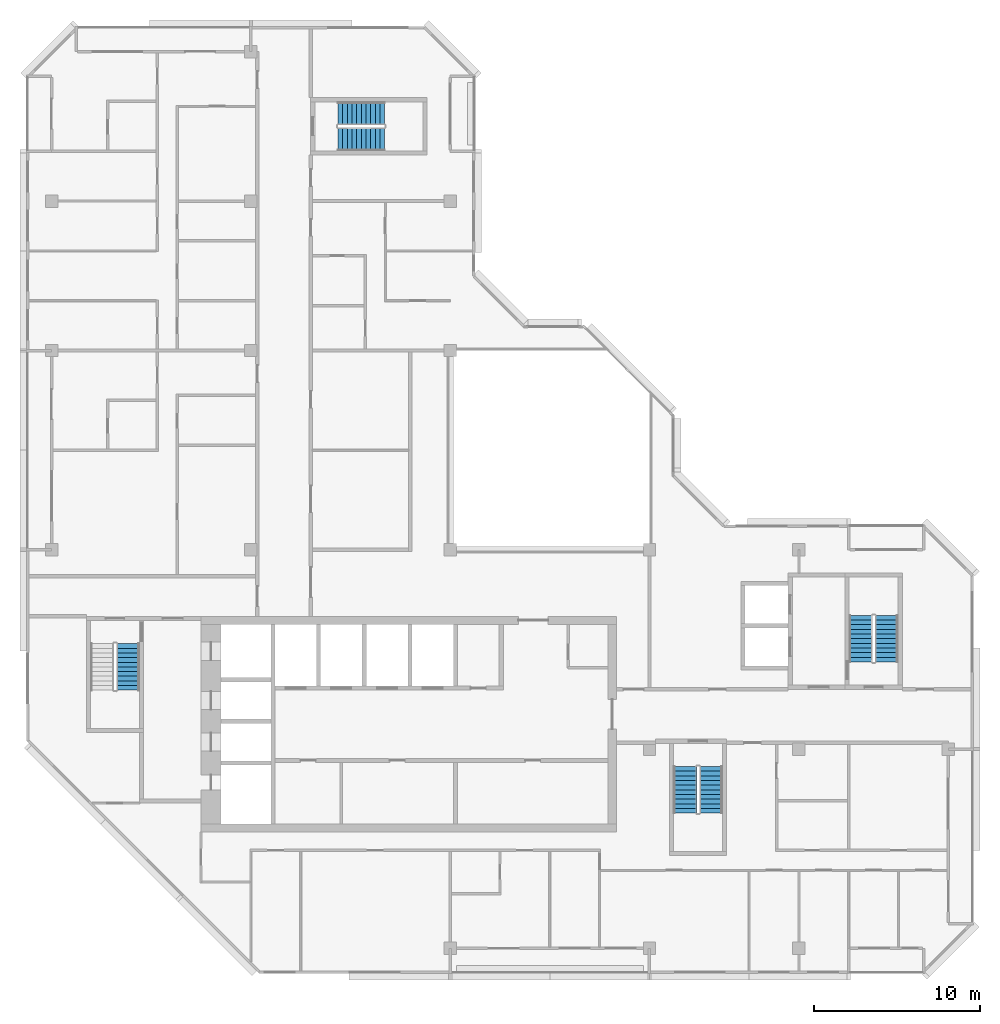
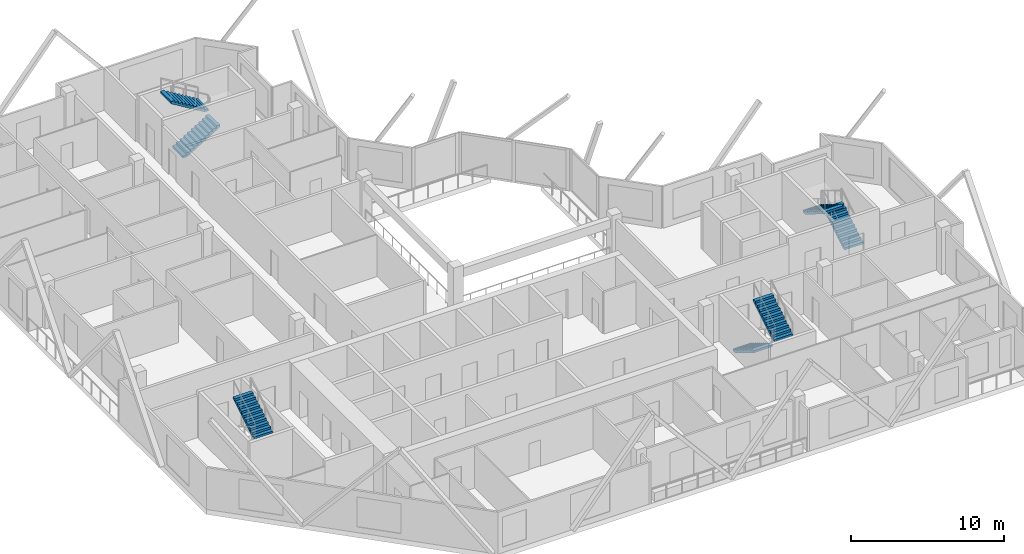
# One storey, part 10 of 12: 7 stair flights, 4 elements without a shape of their own.
"""IFC4 building model written with IfcOpenShell, lengths in metres."""

import ifcopenshell
import ifcopenshell.guid

model = None  # the IFC model being written
_history = None  # IfcOwnerHistory: only IFC2X3 demands one
_inside = {}  # id of a spatial element -> (the spatial element, [elements in it])
_under = {}  # id of a project, library or spatial element -> (it, [spatial elements below it])
_declared = {}  # id of a project -> (the project, [libraries it declares])
_typed = {}  # id of a type object -> (the type object, [elements of that type])
_made_of = {}  # id of a material, layer set ... -> (it, [elements and type objects made of it])


def new_model(schema):
    """Start an empty IFC model of exactly this schema.

    Asked for "IFC4X3", IfcOpenShell would pick the latest addendum, in which some entities
    have other attributes; the version numbers below select the first issue.
    IFC2X3 requires an IfcOwnerHistory on every rooted entity: one is made here for all.
    """
    global model, _history
    if schema == "IFC4X3":
        model = ifcopenshell.file(schema_version=(4, 3, 0, 0))
    else:
        model = ifcopenshell.file(schema=schema)
    _inside.clear()
    _under.clear()
    _declared.clear()
    _typed.clear()
    _made_of.clear()
    _history = None
    if model.schema == "IFC2X3":
        org = make("IfcOrganization", Name="unknown")
        user = make(
            "IfcPersonAndOrganization",
            ThePerson=make("IfcPerson", FamilyName="unknown"),
            TheOrganization=org,
        )
        app = make(
            "IfcApplication",
            ApplicationDeveloper=org,
            Version="unknown",
            ApplicationFullName="unknown",
            ApplicationIdentifier="unknown",
        )
        _history = make(
            "IfcOwnerHistory",
            OwningUser=user,
            OwningApplication=app,
            ChangeAction="ADDED",
            CreationDate=0,
        )
    return model


def make(cls, **values):
    """One entity of the class cls with the attributes given. An attribute that is None is left unset."""
    return model.create_entity(
        cls, **{name: value for name, value in values.items() if value is not None}
    )


def rooted(cls, **values):
    """An entity with a GlobalId (a new one), such as an element, a storey or a relation."""
    return make(cls, GlobalId=ifcopenshell.guid.new(), OwnerHistory=_history, **values)


def si_unit(unit_type, name, prefix=None):
    """IfcSIUnit, for example si_unit("LENGTHUNIT", "METRE", prefix="MILLI")."""
    return make("IfcSIUnit", UnitType=unit_type, Prefix=prefix, Name=name)


def assignment(units):
    """IfcUnitAssignment: the units of a project."""
    return None if units is None else make("IfcUnitAssignment", Units=units)


def point(xyz):
    """IfcCartesianPoint."""
    return None if xyz is None else make("IfcCartesianPoint", Coordinates=xyz)


def direction(xyz):
    """IfcDirection."""
    return None if xyz is None else make("IfcDirection", DirectionRatios=xyz)


def frame(location, z_axis=None, x_axis=None):
    """IfcAxis2Placement3D, a coordinate frame: its origin and axes. An axis left out is left unset."""
    return make(
        "IfcAxis2Placement3D",
        Location=point(location),
        Axis=direction(z_axis),
        RefDirection=direction(x_axis),
    )


def origin():
    """The frame at (0, 0, 0) with its axes left unset."""
    return frame((0.0, 0.0, 0.0))


def place(relative_to, where):
    """IfcLocalPlacement: puts the frame where relative to a parent placement (None: the world)."""
    return make(
        "IfcLocalPlacement", PlacementRelTo=relative_to, RelativePlacement=where
    )


def context(
    kind, dimensions, precision=None, world=None, true_north=None, identifier=None
):
    """IfcGeometricRepresentationContext, for example the 3D "Model" context."""
    return make(
        "IfcGeometricRepresentationContext",
        ContextIdentifier=identifier,
        ContextType=kind,
        CoordinateSpaceDimension=dimensions,
        Precision=precision,
        WorldCoordinateSystem=world,
        TrueNorth=true_north,
    )


def subcontext(parent, identifier, kind, view, scale=None):
    """IfcGeometricRepresentationSubContext, for example "Body" below "Model"."""
    return make(
        "IfcGeometricRepresentationSubContext",
        ContextIdentifier=identifier,
        ContextType=kind,
        ParentContext=parent,
        TargetScale=scale,
        TargetView=view,
    )


def project(units=None, contexts=None):
    """IfcProject with its units and contexts."""
    return rooted(
        "IfcProject",
        Name="project",
        RepresentationContexts=contexts,
        UnitsInContext=assignment(units),
    )


def spatial(cls, under=None, at=None, **own):
    """A site, building, storey or space (cls), placed at a placement, below another one or the project."""
    s = rooted(cls, ObjectPlacement=at, **own)
    if under is not None:
        _under.setdefault(under.id(), (under, []))[1].append(s)
    return s


def polyline(points):
    """IfcPolyline through the points."""
    return make("IfcPolyline", Points=[point(p) for p in points])


def outline(outer, holes=None, kind="AREA"):
    """IfcArbitraryClosedProfileDef: a profile drawn as a closed curve; with holes, ...WithVoids."""
    if holes is None:
        return make("IfcArbitraryClosedProfileDef", ProfileType=kind, OuterCurve=outer)
    return make(
        "IfcArbitraryProfileDefWithVoids",
        ProfileType=kind,
        OuterCurve=outer,
        InnerCurves=holes,
    )


def extrude(swept, where, along, depth):
    """IfcExtrudedAreaSolid: the profile swept, set in the frame where, extruded along a direction by depth."""
    return make(
        "IfcExtrudedAreaSolid",
        SweptArea=swept,
        Position=where,
        ExtrudedDirection=direction(along),
        Depth=depth,
    )


def shape(context_of_items, identifier, shape_type, items):
    """IfcShapeRepresentation: the items that make up one representation, for example the "Body"."""
    return make(
        "IfcShapeRepresentation",
        ContextOfItems=context_of_items,
        RepresentationIdentifier=identifier,
        RepresentationType=shape_type,
        Items=items,
    )


def material(Name=None, Category=None):
    """IfcMaterial."""
    return make("IfcMaterial", Name=Name, Category=Category)


def made_of(thing, what):
    """Note that an element or type object is made of a material, layer set ...; save() writes the relation."""
    if what is not None:
        _made_of.setdefault(what.id(), (what, []))[1].append(thing)
    return thing


def type_object(cls, material=None, **own):
    """A type object (cls), such as IfcWallType, which elements share."""
    return made_of(rooted(cls, **own), material)


def element(
    cls,
    number,
    at=None,
    inside=None,
    cuts=None,
    type_object=None,
    material=None,
    context=None,
    identifier="Body",
    shape_type=None,
    held_by="IfcProductDefinitionShape",
    body=None,
    shapes=None,
    **own,
):
    """One element of the class cls, such as IfcWall. Its Tag is "e" and its number.

    at: its placement. inside: the storey or other place that contains it. cuts: it is an
    opening in that element (IfcRelVoidsElement). A single representation is given by context,
    identifier, shape_type and body (its items); several are given by shapes. held_by: the class
    of the entity that holds the representations. save() writes the other relations.
    """
    e = rooted(cls, Tag="e%d" % number, ObjectPlacement=at, **own)
    if body is not None:
        shapes = [shape(context, identifier, shape_type, body)]
    if shapes is not None:
        e.Representation = make(held_by, Representations=shapes)
    if inside is not None:
        _inside.setdefault(inside.id(), (inside, []))[1].append(e)
    if cuts is not None:
        rooted(
            "IfcRelVoidsElement", RelatingBuildingElement=cuts, RelatedOpeningElement=e
        )
    if type_object is not None:
        _typed.setdefault(type_object.id(), (type_object, []))[1].append(e)
    return made_of(e, material)


def aggregate(whole, parts):
    """IfcRelAggregates: a whole, such as a stair, and the parts it consists of."""
    return rooted("IfcRelAggregates", RelatingObject=whole, RelatedObjects=parts)


def save(model, path):
    """Write the relations noted so far, then the file.

    IfcRelAggregates (storeys below a building ...), IfcRelContainedInSpatialStructure (elements
    in a storey), IfcRelDefinesByType, IfcRelAssociatesMaterial and IfcRelDeclares: one each for
    every whole, place, type object, material and project.
    """
    for whole, parts in _under.values():
        aggregate(whole, parts)
    for where, things in _inside.values():
        rooted(
            "IfcRelContainedInSpatialStructure",
            RelatedElements=things,
            RelatingStructure=where,
        )
    for kind, things in _typed.values():
        rooted("IfcRelDefinesByType", RelatedObjects=things, RelatingType=kind)
    for what, things in _made_of.values():
        rooted("IfcRelAssociatesMaterial", RelatedObjects=things, RelatingMaterial=what)
    for by, libraries in _declared.values():
        rooted("IfcRelDeclares", RelatingContext=by, RelatedDefinitions=libraries)
    model.write(path)


model = new_model("IFC4")

# Units and contexts
model_context = context("Model", 3, precision=1e-05, world=origin(), true_north=direction((0.0, 1.0)))
body_context = subcontext(model_context, "Body", "Model", "MODEL_VIEW")
ifc_project = project(units=[si_unit("LENGTHUNIT", "METRE"), si_unit("AREAUNIT", "SQUARE_METRE"), si_unit("VOLUMEUNIT", "CUBIC_METRE"), si_unit("PLANEANGLEUNIT", "RADIAN"), si_unit("MASSUNIT", "GRAM", prefix="KILO")], contexts=[model_context])

# Site, building, storey
site_placement = place(None, origin())
site = spatial("IfcSite", under=ifc_project, at=site_placement, CompositionType="ELEMENT")
building_placement = place(site_placement, origin())
building = spatial("IfcBuilding", under=site, at=building_placement, Name="Chenar Terraces", CompositionType="ELEMENT")
storey_placement = place(building_placement, frame((0.0, 0.0, 338.89990234375)))
storey = spatial("IfcBuildingStorey", under=building, at=storey_placement, Name="L78", CompositionType="ELEMENT", Elevation=338.89990234375)

# Stair, stair flight
ifc_material_1 = material(Name="Reinforced concrete C40/50", Category="concrete")
stair_type = type_object("IfcStairType", Name="Core stair 1400 half-turn", PredefinedType="HALF_TURN_STAIR", material=ifc_material_1)
placement = place(storey_placement, origin())
stair_1 = element("IfcStair", 1, at=placement, inside=storey, type_object=stair_type, Name="L78 Stair 1", PredefinedType="HALF_TURN_STAIR")
ifc_material_2 = material(Name="Reinforced concrete C40/50", Category="concrete")
stair_flight_type = type_object("IfcStairFlightType", Name="Core stair flight 1400", PredefinedType="STRAIGHT", material=ifc_material_2)
stair_flight_1_placement = place(storey_placement, frame((4.60009765625, 15.550048828125, 1.875), z_axis=(0.0, 0.0, 1.0), x_axis=(0.0, 1.0, 0.0)))
stair_flight_1 = element("IfcStairFlight", 2, at=stair_flight_1_placement, type_object=stair_flight_type, Name="ST1 flight 2", NumberOfRisers=11, NumberOfTreads=10, PredefinedType="STRAIGHT", RiserHeight=0.170454545, TreadLength=0.28, context=body_context, shape_type="SweptSolid", body=[
    extrude(outline(polyline([(-0.0029296875, 0.0), (-0.0029296875, 0.17041015625), (0.0, 0.17041015625), (0.280029296875, 0.17041015625), (0.280029296875, 0.3408203125), (0.56005859375, 0.3408203125), (0.56005859375, 0.511474609375), (0.840087890625, 0.511474609375), (0.840087890625, 0.681884765625), (1.1201171875, 0.681884765625), (1.1201171875, 0.852294921875), (1.39990234375, 0.852294921875), (1.39990234375, 1.022705078125), (1.679931640625, 1.022705078125), (1.679931640625, 1.193115234375), (1.9599609375, 1.193115234375), (1.9599609375, 1.363525390625), (2.239990234375, 1.363525390625), (2.239990234375, 1.5341796875), (2.52001953125, 1.5341796875), (2.52001953125, 1.70458984375), (2.800048828125, 1.70458984375), (2.802978515625, 1.70458984375), (2.802978515625, 1.529052734375), (2.800048828125, 1.529052734375), (0.288330078125, 0.0), (-0.0029296875, 0.0)])), frame((0.0, 0.699951171875, 0.0), z_axis=(0.0, -1.0, 0.0), x_axis=(1.0, 0.0, 0.0)), (0.0, 0.0, 1.0), 1.39990234375),
])
aggregate(stair_1, [stair_flight_1])

# Stair, stair flights
stair_2 = element("IfcStair", 3, at=placement, inside=storey, type_object=stair_type, Name="L78 Stair 2", PredefinedType="HALF_TURN_STAIR")
stair_flight_2_placement = place(storey_placement, frame((38.14990234375, 10.949951171875, 0.0), z_axis=(0.0, 0.0, 1.0), x_axis=(0.0, -1.0, 0.0)))
stair_flight_2 = element("IfcStairFlight", 4, at=stair_flight_2_placement, type_object=stair_flight_type, Name="ST2 flight 1", NumberOfRisers=11, NumberOfTreads=10, PredefinedType="STRAIGHT", RiserHeight=0.170454545, TreadLength=0.28, context=body_context, shape_type="SweptSolid", body=[
    extrude(outline(polyline([(-0.0029296875, 0.0), (-0.0029296875, 0.17041015625), (0.0, 0.17041015625), (0.280029296875, 0.17041015625), (0.280029296875, 0.3408203125), (0.56005859375, 0.3408203125), (0.56005859375, 0.511474609375), (0.840087890625, 0.511474609375), (0.840087890625, 0.681884765625), (1.1201171875, 0.681884765625), (1.1201171875, 0.852294921875), (1.39990234375, 0.852294921875), (1.39990234375, 1.022705078125), (1.679931640625, 1.022705078125), (1.679931640625, 1.193115234375), (1.9599609375, 1.193115234375), (1.9599609375, 1.363525390625), (2.239990234375, 1.363525390625), (2.239990234375, 1.5341796875), (2.52001953125, 1.5341796875), (2.52001953125, 1.70458984375), (2.800048828125, 1.70458984375), (2.802978515625, 1.70458984375), (2.802978515625, 1.529052734375), (2.800048828125, 1.529052734375), (0.288330078125, 0.0), (-0.0029296875, 0.0)])), frame((0.0, 0.699951171875, 0.0), z_axis=(0.0, -1.0, 0.0), x_axis=(1.0, 0.0, 0.0)), (0.0, 0.0, 1.0), 1.39990234375),
])
stair_flight_3_placement = place(storey_placement, frame((39.699951171875, 8.14990234375, 1.875), z_axis=(0.0, 0.0, 1.0), x_axis=(0.0, 1.0, 0.0)))
stair_flight_3 = element("IfcStairFlight", 5, at=stair_flight_3_placement, type_object=stair_flight_type, Name="ST2 flight 2", NumberOfRisers=11, NumberOfTreads=10, PredefinedType="STRAIGHT", RiserHeight=0.170454545, TreadLength=0.28, context=body_context, shape_type="SweptSolid", body=[
    extrude(outline(polyline([(-0.0029296875, 0.0), (-0.0029296875, 0.17041015625), (0.0, 0.17041015625), (0.280029296875, 0.17041015625), (0.280029296875, 0.3408203125), (0.56005859375, 0.3408203125), (0.56005859375, 0.511474609375), (0.840087890625, 0.511474609375), (0.840087890625, 0.681884765625), (1.1201171875, 0.681884765625), (1.1201171875, 0.852294921875), (1.39990234375, 0.852294921875), (1.39990234375, 1.022705078125), (1.679931640625, 1.022705078125), (1.679931640625, 1.193115234375), (1.9599609375, 1.193115234375), (1.9599609375, 1.363525390625), (2.239990234375, 1.363525390625), (2.239990234375, 1.5341796875), (2.52001953125, 1.5341796875), (2.52001953125, 1.70458984375), (2.800048828125, 1.70458984375), (2.802978515625, 1.70458984375), (2.802978515625, 1.529052734375), (2.800048828125, 1.529052734375), (0.288330078125, 0.0), (-0.0029296875, 0.0)])), frame((0.0, 0.699951171875, 0.0), z_axis=(0.0, -1.0, 0.0), x_axis=(1.0, 0.0, 0.0)), (0.0, 0.0, 1.0), 1.39990234375),
])
aggregate(stair_2, [stair_flight_2, stair_flight_3])

stair_3 = element("IfcStair", 6, at=placement, inside=storey, type_object=stair_type, Name="L78 Stair 3", PredefinedType="HALF_TURN_STAIR")
stair_flight_4_placement = place(storey_placement, frame((50.27490234375, 17.25, 0.0), z_axis=(0.0, 0.0, 1.0), x_axis=(0.0, 1.0, 0.0)))
stair_flight_4 = element("IfcStairFlight", 7, at=stair_flight_4_placement, type_object=stair_flight_type, Name="ST3 flight 1", NumberOfRisers=11, NumberOfTreads=10, PredefinedType="STRAIGHT", RiserHeight=0.170454545, TreadLength=0.28, context=body_context, shape_type="SweptSolid", body=[
    extrude(outline(polyline([(-0.0029296875, 0.0), (-0.0029296875, 0.17041015625), (0.0, 0.17041015625), (0.280029296875, 0.17041015625), (0.280029296875, 0.3408203125), (0.56005859375, 0.3408203125), (0.56005859375, 0.511474609375), (0.840087890625, 0.511474609375), (0.840087890625, 0.681884765625), (1.1201171875, 0.681884765625), (1.1201171875, 0.852294921875), (1.39990234375, 0.852294921875), (1.39990234375, 1.022705078125), (1.679931640625, 1.022705078125), (1.679931640625, 1.193115234375), (1.9599609375, 1.193115234375), (1.9599609375, 1.363525390625), (2.239990234375, 1.363525390625), (2.239990234375, 1.5341796875), (2.52001953125, 1.5341796875), (2.52001953125, 1.70458984375), (2.800048828125, 1.70458984375), (2.802978515625, 1.70458984375), (2.802978515625, 1.529052734375), (2.800048828125, 1.529052734375), (0.288330078125, 0.0), (-0.0029296875, 0.0)])), frame((0.0, 0.699951171875, 0.0), z_axis=(0.0, -1.0, 0.0), x_axis=(1.0, 0.0, 0.0)), (0.0, 0.0, 1.0), 1.39990234375),
])
stair_flight_5_placement = place(storey_placement, frame((48.72509765625, 20.050048828125, 1.875), z_axis=(0.0, 0.0, 1.0), x_axis=(0.0, -1.0, 0.0)))
stair_flight_5 = element("IfcStairFlight", 8, at=stair_flight_5_placement, type_object=stair_flight_type, Name="ST3 flight 2", NumberOfRisers=11, NumberOfTreads=10, PredefinedType="STRAIGHT", RiserHeight=0.170454545, TreadLength=0.28, context=body_context, shape_type="SweptSolid", body=[
    extrude(outline(polyline([(-0.0029296875, 0.0), (-0.0029296875, 0.17041015625), (0.0, 0.17041015625), (0.280029296875, 0.17041015625), (0.280029296875, 0.3408203125), (0.56005859375, 0.3408203125), (0.56005859375, 0.511474609375), (0.840087890625, 0.511474609375), (0.840087890625, 0.681884765625), (1.1201171875, 0.681884765625), (1.1201171875, 0.852294921875), (1.39990234375, 0.852294921875), (1.39990234375, 1.022705078125), (1.679931640625, 1.022705078125), (1.679931640625, 1.193115234375), (1.9599609375, 1.193115234375), (1.9599609375, 1.363525390625), (2.239990234375, 1.363525390625), (2.239990234375, 1.5341796875), (2.52001953125, 1.5341796875), (2.52001953125, 1.70458984375), (2.800048828125, 1.70458984375), (2.802978515625, 1.70458984375), (2.802978515625, 1.529052734375), (2.800048828125, 1.529052734375), (0.288330078125, 0.0), (-0.0029296875, 0.0)])), frame((0.0, 0.699951171875, 0.0), z_axis=(0.0, -1.0, 0.0), x_axis=(1.0, 0.0, 0.0)), (0.0, 0.0, 1.0), 1.39990234375),
])
aggregate(stair_3, [stair_flight_4, stair_flight_5])

stair_4 = element("IfcStair", 9, at=placement, inside=storey, type_object=stair_type, Name="L78 Stair 4", PredefinedType="HALF_TURN_STAIR")
stair_flight_6_placement = place(storey_placement, frame((17.25, 48.72509765625, 0.0), z_axis=(0.0, 0.0, 1.0), x_axis=(1.0, 0.0, 0.0)))
stair_flight_6 = element("IfcStairFlight", 10, at=stair_flight_6_placement, type_object=stair_flight_type, Name="ST4 flight 1", NumberOfRisers=11, NumberOfTreads=10, PredefinedType="STRAIGHT", RiserHeight=0.170454545, TreadLength=0.28, context=body_context, shape_type="SweptSolid", body=[
    extrude(outline(polyline([(-0.0029296875, 0.0), (-0.0029296875, 0.17041015625), (0.0, 0.17041015625), (0.280029296875, 0.17041015625), (0.280029296875, 0.3408203125), (0.56005859375, 0.3408203125), (0.56005859375, 0.511474609375), (0.840087890625, 0.511474609375), (0.840087890625, 0.681884765625), (1.1201171875, 0.681884765625), (1.1201171875, 0.852294921875), (1.39990234375, 0.852294921875), (1.39990234375, 1.022705078125), (1.679931640625, 1.022705078125), (1.679931640625, 1.193115234375), (1.9599609375, 1.193115234375), (1.9599609375, 1.363525390625), (2.239990234375, 1.363525390625), (2.239990234375, 1.5341796875), (2.52001953125, 1.5341796875), (2.52001953125, 1.70458984375), (2.800048828125, 1.70458984375), (2.802978515625, 1.70458984375), (2.802978515625, 1.529052734375), (2.800048828125, 1.529052734375), (0.288330078125, 0.0), (-0.0029296875, 0.0)])), frame((0.0, 0.699951171875, 0.0), z_axis=(0.0, -1.0, 0.0), x_axis=(1.0, 0.0, 0.0)), (0.0, 0.0, 1.0), 1.39990234375),
])
stair_flight_7_placement = place(storey_placement, frame((20.050048828125, 50.27490234375, 1.875), z_axis=(0.0, 0.0, 1.0), x_axis=(-1.0, 0.0, 0.0)))
stair_flight_7 = element("IfcStairFlight", 11, at=stair_flight_7_placement, type_object=stair_flight_type, Name="ST4 flight 2", NumberOfRisers=11, NumberOfTreads=10, PredefinedType="STRAIGHT", RiserHeight=0.170454545, TreadLength=0.28, context=body_context, shape_type="SweptSolid", body=[
    extrude(outline(polyline([(-0.0029296875, 0.0), (-0.0029296875, 0.17041015625), (0.0, 0.17041015625), (0.280029296875, 0.17041015625), (0.280029296875, 0.3408203125), (0.56005859375, 0.3408203125), (0.56005859375, 0.511474609375), (0.840087890625, 0.511474609375), (0.840087890625, 0.681884765625), (1.1201171875, 0.681884765625), (1.1201171875, 0.852294921875), (1.39990234375, 0.852294921875), (1.39990234375, 1.022705078125), (1.679931640625, 1.022705078125), (1.679931640625, 1.193115234375), (1.9599609375, 1.193115234375), (1.9599609375, 1.363525390625), (2.239990234375, 1.363525390625), (2.239990234375, 1.5341796875), (2.52001953125, 1.5341796875), (2.52001953125, 1.70458984375), (2.800048828125, 1.70458984375), (2.802978515625, 1.70458984375), (2.802978515625, 1.529052734375), (2.800048828125, 1.529052734375), (0.288330078125, 0.0), (-0.0029296875, 0.0)])), frame((0.0, 0.699951171875, 0.0), z_axis=(0.0, -1.0, 0.0), x_axis=(1.0, 0.0, 0.0)), (0.0, 0.0, 1.0), 1.39990234375),
])
aggregate(stair_4, [stair_flight_6, stair_flight_7])

save(model, "model.ifc")
